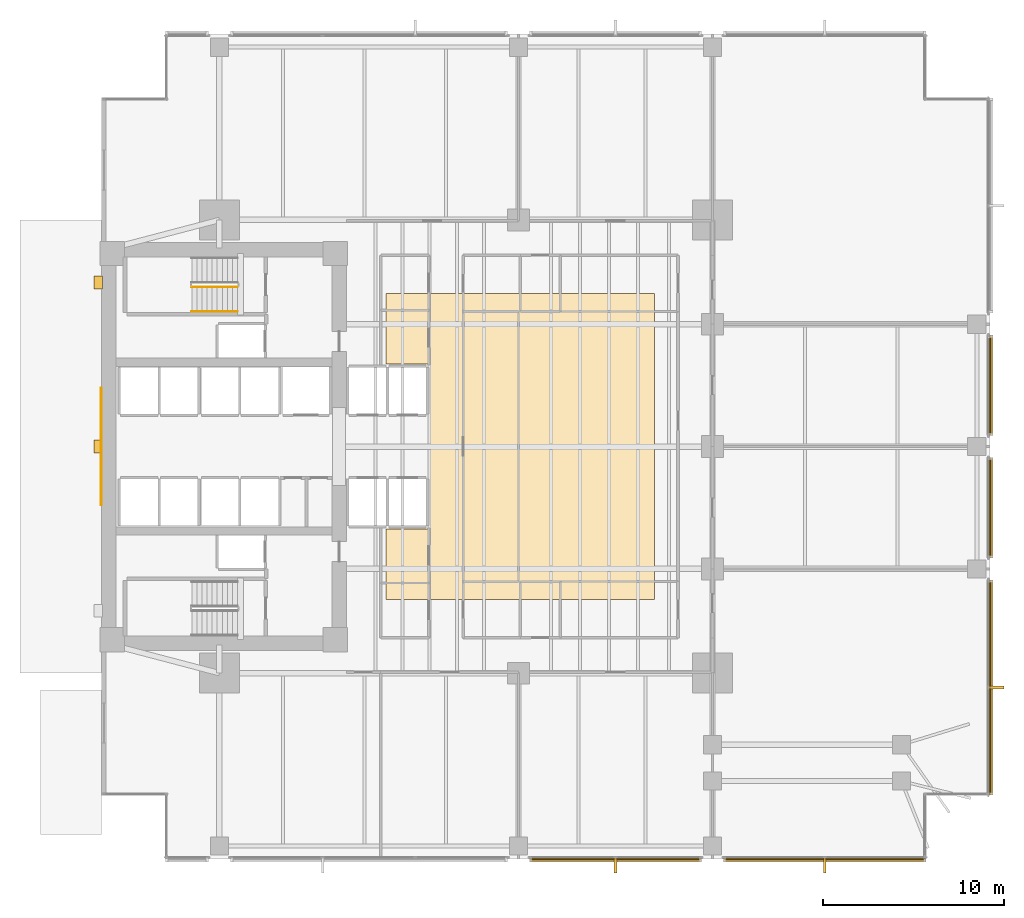
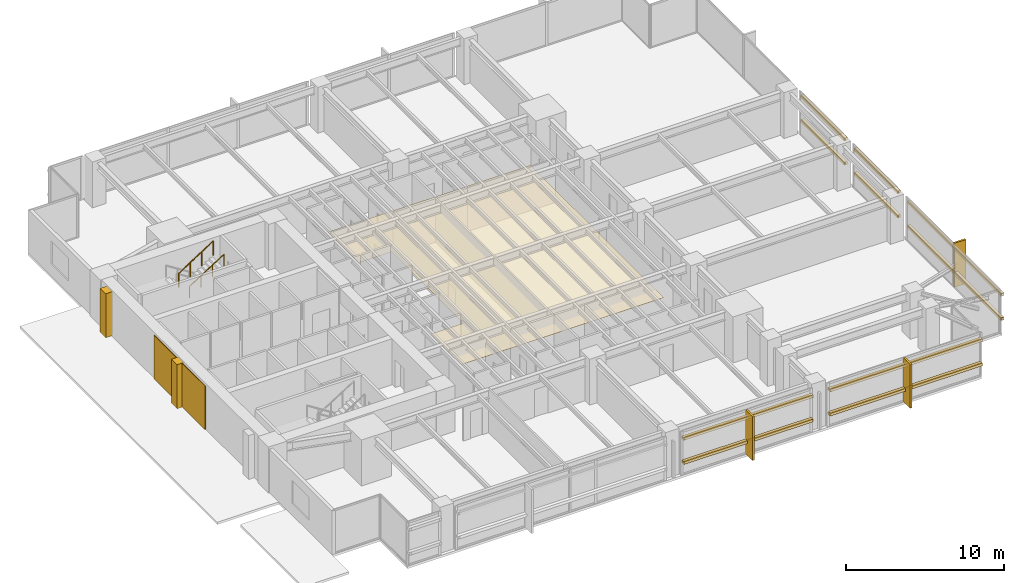
# One storey, part 14 of 16: 17 coverings, 10 shading devices, 2 railings.
"""IFC4 building model written with IfcOpenShell, lengths in metres."""

from ifc_helpers import new_model, si_unit, direction, frame, origin, origin_2d, place, context, subcontext, project, spatial, polyline, rectangle, circle, outline, extrude, material, layer, layer_set, material_profile, profile_set, type_object, element, save


model = new_model("IFC4")

# Units and contexts
model_context = context("Model", 3, precision=1e-05, world=origin(), true_north=direction((0.0, 1.0)))
body_context = subcontext(model_context, "Body", "Model", "MODEL_VIEW")
ifc_project = project(units=[si_unit("LENGTHUNIT", "METRE"), si_unit("AREAUNIT", "SQUARE_METRE"), si_unit("VOLUMEUNIT", "CUBIC_METRE"), si_unit("PLANEANGLEUNIT", "RADIAN"), si_unit("MASSUNIT", "GRAM", prefix="KILO")], contexts=[model_context])

# Site, building, storey
site_placement = place(None, origin())
site = spatial("IfcSite", under=ifc_project, at=site_placement, CompositionType="ELEMENT")
building_placement = place(site_placement, origin())
building = spatial("IfcBuilding", under=site, at=building_placement, Name="Kinhvarn Gate Tower", CompositionType="ELEMENT")
storey_placement = place(building_placement, frame((0.0, 0.0, 25.60009765625)))
storey = spatial("IfcBuildingStorey", under=building, at=storey_placement, Name="L05", CompositionType="ELEMENT", Elevation=25.60009765625)

# Coverings
ifc_material_1 = material(Name="Fired architectural terracotta", Category="masonry")
ifc_layer_1 = layer(ifc_material_1, 0.239990234375)
ifc_layer_set_1 = layer_set([ifc_layer_1], Name="Fired architectural terracotta")
covering_type_1 = type_object("IfcCoveringType", Name="COV-BAG-220", PredefinedType="CLADDING", material=ifc_layer_set_1)
for number, where, name in (
    (1, (0.0, 0.0, 0.93994140625), "Terracotta Horizontal Sunscreen Band TBG-220 (L05)"),
    (2, (0.0, 0.0, 2.809814453125), "Terracotta Horizontal Sunscreen Band TBG-220 (L05)"),
):
    element("IfcCovering", number, at=place(storey_placement, frame(where)), inside=storey, type_object=covering_type_1, Name=name, PredefinedType="CLADDING", context=body_context, shape_type="SweptSolid", body=[
        extrude(outline(polyline([(28.1201171875, 2.56005859375), (37.580078125, 2.56005859375), (37.580078125, 2.320068359375), (28.1201171875, 2.320068359375), (28.1201171875, 2.56005859375)])), origin(), (0.0, 0.0, 1.0), 0.219970703125),
    ])
for number, where, name in (
    (3, (0.0, 0.0, 0.93994140625), "Terracotta Horizontal Sunscreen Band TBG-220 (L05)"),
    (4, (0.0, 0.0, 2.809814453125), "Terracotta Horizontal Sunscreen Band TBG-220 (L05)"),
):
    element("IfcCovering", number, at=place(storey_placement, frame(where)), inside=storey, type_object=covering_type_1, Name=name, PredefinedType="CLADDING", context=body_context, shape_type="SweptSolid", body=[
        extrude(outline(polyline([(38.820068359375, 2.56005859375), (49.9599609375, 2.56005859375), (49.9599609375, 2.320068359375), (38.820068359375, 2.320068359375), (38.820068359375, 2.56005859375)])), origin(), (0.0, 0.0, 1.0), 0.219970703125),
    ])
for number, where, name in (
    (5, (0.0, 0.0, 0.93994140625), "Terracotta Horizontal Sunscreen Band TBG-220 (L05)"),
    (6, (0.0, 0.0, 2.809814453125), "Terracotta Horizontal Sunscreen Band TBG-220 (L05)"),
):
    element("IfcCovering", number, at=place(storey_placement, frame(where)), inside=storey, type_object=covering_type_1, Name=name, PredefinedType="CLADDING", context=body_context, shape_type="SweptSolid", body=[
        extrude(outline(polyline([(53.43994140625, 6.0400390625), (53.43994140625, 17.8798828125), (53.679931640625, 17.8798828125), (53.679931640625, 6.0400390625), (53.43994140625, 6.0400390625)])), origin(), (0.0, 0.0, 1.0), 0.219970703125),
    ])
for number, where, name in (
    (7, (0.0, 0.0, 0.93994140625), "Terracotta Horizontal Sunscreen Band TBG-220 (L05)"),
    (8, (0.0, 0.0, 2.809814453125), "Terracotta Horizontal Sunscreen Band TBG-220 (L05)"),
):
    element("IfcCovering", number, at=place(storey_placement, frame(where)), inside=storey, type_object=covering_type_1, Name=name, PredefinedType="CLADDING", context=body_context, shape_type="SweptSolid", body=[
        extrude(outline(polyline([(53.43994140625, 19.1201171875), (53.43994140625, 24.6298828125), (53.679931640625, 24.6298828125), (53.679931640625, 19.1201171875), (53.43994140625, 19.1201171875)])), origin(), (0.0, 0.0, 1.0), 0.219970703125),
    ])
for number, where, name in (
    (9, (0.0, 0.0, 0.93994140625), "Terracotta Horizontal Sunscreen Band TBG-220 (L05)"),
    (10, (0.0, 0.0, 2.809814453125), "Terracotta Horizontal Sunscreen Band TBG-220 (L05)"),
):
    element("IfcCovering", number, at=place(storey_placement, frame(where)), inside=storey, type_object=covering_type_1, Name=name, PredefinedType="CLADDING", context=body_context, shape_type="SweptSolid", body=[
        extrude(outline(polyline([(53.43994140625, 25.8701171875), (53.43994140625, 31.3798828125), (53.679931640625, 31.3798828125), (53.679931640625, 25.8701171875), (53.43994140625, 25.8701171875)])), origin(), (0.0, 0.0, 1.0), 0.219970703125),
    ])
ifc_material_2 = material(Name="Mineral-fibre acoustic ceiling tile")
ifc_layer_2 = layer(ifc_material_2, 0.02001953125)
ifc_layer_set_2 = layer_set([ifc_layer_2], Name="Mineral-fibre acoustic ceiling tile")
covering_type_2 = type_object("IfcCoveringType", Name="COV-CEIL-20", PredefinedType="CEILING", material=ifc_layer_set_2)
covering_1_placement = place(storey_placement, frame((0.0, 0.0, 2.64990234375)))
element("IfcCovering", 11, at=covering_1_placement, inside=storey, type_object=covering_type_2, Name="Suspended Acoustic Ceiling Tile (L05-1)", PredefinedType="CEILING", context=body_context, shape_type="SweptSolid", body=[
    extrude(outline(polyline([(35.0, 33.699951171875), (35.0, 16.800048828125), (20.199951171875, 16.800048828125), (20.199951171875, 20.699951171875), (22.60009765625, 20.699951171875), (22.60009765625, 29.800048828125), (20.199951171875, 29.800048828125), (20.199951171875, 33.699951171875), (35.0, 33.699951171875)])), origin(), (0.0, 0.0, 1.0), 0.02001953125),
])
ifc_layer_3 = layer(ifc_material_1, 0.050048828125)
ifc_layer_set_3 = layer_set([ifc_layer_3], Name="Fired architectural terracotta")
covering_type_3 = type_object("IfcCoveringType", Name="COV-CLD-50", PredefinedType="CLADDING", material=ifc_layer_set_3)
covering_2_placement = place(storey_placement, origin())
element("IfcCovering", 12, at=covering_2_placement, inside=storey, type_object=covering_type_3, Name="West Core Terracotta Cladding Feature Panel (L05)", PredefinedType="CLADDING", context=body_context, shape_type="SweptSolid", body=[
    extrude(outline(polyline([(4.449951171875, 22.0), (4.5, 22.0), (4.5, 28.5), (4.449951171875, 28.5), (4.449951171875, 22.0)])), origin(), (0.0, 0.0, 1.0), 3.369873046875),
])
ifc_layer_4 = layer(ifc_material_1, 0.139892578125)
ifc_layer_set_4 = layer_set([ifc_layer_4], Name="Fired architectural terracotta")
covering_type_4 = type_object("IfcCoveringType", Name="COV-FIN-850", PredefinedType="CLADDING", material=ifc_layer_set_4)
covering_3_placement = place(storey_placement, frame((0.0, 0.0, -0.02001953125)))
element("IfcCovering", 13, at=covering_3_placement, inside=storey, type_object=covering_type_4, Name="Vertical Terracotta Expressive Fin TFN-850 (L05)", PredefinedType="CLADDING", context=body_context, shape_type="SweptSolid", body=[
    extrude(outline(polyline([(32.780029296875, 2.570068359375), (32.919921875, 2.570068359375), (32.919921875, 1.719970703125), (32.780029296875, 1.719970703125), (32.780029296875, 2.570068359375)])), origin(), (0.0, 0.0, 1.0), 3.409912109375),
])
covering_4_placement = place(storey_placement, frame((0.0, 0.0, -0.02001953125)))
element("IfcCovering", 14, at=covering_4_placement, inside=storey, type_object=covering_type_4, Name="Vertical Terracotta Expressive Fin TFN-850 (L05)", PredefinedType="CLADDING", context=body_context, shape_type="SweptSolid", body=[
    extrude(outline(polyline([(44.320068359375, 2.570068359375), (44.4599609375, 2.570068359375), (44.4599609375, 1.719970703125), (44.320068359375, 1.719970703125), (44.320068359375, 2.570068359375)])), origin(), (0.0, 0.0, 1.0), 3.409912109375),
])
covering_5_placement = place(storey_placement, frame((0.0, 0.0, -0.02001953125)))
element("IfcCovering", 15, at=covering_5_placement, inside=storey, type_object=covering_type_4, Name="Vertical Terracotta Expressive Fin TFN-850 (L05)", PredefinedType="CLADDING", context=body_context, shape_type="SweptSolid", body=[
    extrude(outline(polyline([(53.429931640625, 11.889892578125), (53.429931640625, 12.030029296875), (54.280029296875, 12.030029296875), (54.280029296875, 11.889892578125), (53.429931640625, 11.889892578125)])), origin(), (0.0, 0.0, 1.0), 3.409912109375),
])
ifc_material_3 = material(Name="Precast white architectural concrete C40/50", Category="concrete")
ifc_layer_5 = layer(ifc_material_3, 0.47998046875)
ifc_layer_set_5 = layer_set([ifc_layer_5], Name="Precast white architectural concrete C40/50")
covering_type_5 = type_object("IfcCoveringType", Name="COV-RIB-450", PredefinedType="CLADDING", material=ifc_layer_set_5)
covering_6_placement = place(storey_placement, frame((0.0, 0.0, -0.02001953125)))
element("IfcCovering", 16, at=covering_6_placement, inside=storey, type_object=covering_type_5, Name="West Core Sculptural Concrete Relief Rib CRB-450 (L05)", PredefinedType="CLADDING", context=body_context, shape_type="SweptSolid", body=[
    extrude(outline(polyline([(4.080078125, 24.89990234375), (4.56005859375, 24.89990234375), (4.56005859375, 25.60009765625), (4.080078125, 25.60009765625), (4.080078125, 24.89990234375)])), origin(), (0.0, 0.0, 1.0), 3.409912109375),
])
covering_7_placement = place(storey_placement, frame((0.0, 0.0, -0.02001953125)))
element("IfcCovering", 17, at=covering_7_placement, inside=storey, type_object=covering_type_5, Name="West Core Sculptural Concrete Relief Rib CRB-450 (L05)", PredefinedType="CLADDING", context=body_context, shape_type="SweptSolid", body=[
    extrude(outline(polyline([(4.080078125, 33.949951171875), (4.56005859375, 33.949951171875), (4.56005859375, 34.64990234375), (4.080078125, 34.64990234375), (4.080078125, 33.949951171875)])), origin(), (0.0, 0.0, 1.0), 3.409912109375),
])

# Railings
ifc_material_4 = material(Name="Steel S355", Category="steel")
railing_type_1 = type_object("IfcRailingType", Name="RL-ST-GRD", PredefinedType="BALUSTRADE", material=ifc_material_4)
railing_1_placement = place(storey_placement, frame((9.47998046875, 34.050048828125, 1.952392578125)))
element("IfcRailing", 18, at=railing_1_placement, inside=storey, type_object=railing_type_1, Name="L05 ST2 stair guard 3", PredefinedType="BALUSTRADE", context=body_context, shape_type="SweptSolid", body=[
    extrude(circle(Radius=0.02392578125, at=origin_2d()), frame((0.0, 0.0, 1.076171875), z_axis=(0.84460694969, 0.0, 0.535386869969), x_axis=(0.0, 1.0, 0.0)), (0.0, 0.0, 1.0), 2.983642578125),
    extrude(circle(Radius=0.02099609375, at=origin_2d()), origin(), (0.0, 0.0, 1.0), 1.052001953125),
    extrude(circle(Radius=0.02099609375, at=origin_2d()), frame((0.840087890625, 0.0, 0.532470703125)), (0.0, 0.0, 1.0), 1.052001953125),
    extrude(circle(Radius=0.02099609375, at=origin_2d()), frame((1.679931640625, 0.0, 1.06494140625)), (0.0, 0.0, 1.0), 1.052001953125),
    extrude(circle(Radius=0.02099609375, at=origin_2d()), frame((2.52001953125, 0.0, 1.597412109375)), (0.0, 0.0, 1.0), 1.052001953125),
])
railing_type_2 = type_object("IfcRailingType", Name="RL-ST-HND", PredefinedType="HANDRAIL", material=ifc_material_4)
railing_2_placement = place(storey_placement, frame((9.47998046875, 32.699951171875, 1.952392578125)))
element("IfcRailing", 19, at=railing_2_placement, inside=storey, type_object=railing_type_2, Name="L05 ST2 stair handrail 2", PredefinedType="HANDRAIL", context=body_context, shape_type="SweptSolid", body=[
    extrude(circle(Radius=0.02392578125, at=origin_2d()), frame((0.0, 0.0, 0.8759765625), z_axis=(0.84460694969, 0.0, 0.535386869969), x_axis=(0.0, 1.0, 0.0)), (0.0, 0.0, 1.0), 2.983642578125),
    extrude(circle(Radius=0.02099609375, at=origin_2d()), origin(), (0.0, 0.0, 1.0), 0.851806640625),
    extrude(circle(Radius=0.02099609375, at=origin_2d()), frame((0.840087890625, 0.0, 0.532470703125)), (0.0, 0.0, 1.0), 0.851806640625),
    extrude(circle(Radius=0.02099609375, at=origin_2d()), frame((1.679931640625, 0.0, 1.06494140625)), (0.0, 0.0, 1.0), 0.851806640625),
    extrude(circle(Radius=0.02099609375, at=origin_2d()), frame((2.52001953125, 0.0, 1.597412109375)), (0.0, 0.0, 1.0), 0.851806640625),
])

# Shading devices
ifc_material_profile = material_profile(ifc_material_1, rectangle(XDim=0.06005859375, YDim=0.139892578125, at=origin_2d()), Name="TC 60x140")
ifc_profile_set = profile_set([ifc_material_profile], Name="Fired architectural terracotta")
shading_device_type = type_object("IfcShadingDeviceType", Name="SHD-BAG-180", PredefinedType="USERDEFINED", material=ifc_profile_set)
for number, where, z_axis, x_axis, name in (
    (20, (28.1201171875, 2.485107421875, 1.0498046875), (1.0, 0.0, 0.0), (0.0, 1.0, 0.0), "Fired Terracotta Baguette Screen Rod 60x140 mm (L05)"),
    (21, (28.1201171875, 2.485107421875, 2.919921875), (1.0, 0.0, 0.0), (0.0, 1.0, 0.0), "Fired Terracotta Baguette Screen Rod 60x140 mm (L05)"),
):
    element("IfcShadingDevice", number, at=place(storey_placement, frame(where, z_axis=z_axis, x_axis=x_axis)), inside=storey, type_object=shading_device_type, Name=name, ObjectType="BAGUETTE", PredefinedType="USERDEFINED", context=body_context, shape_type="SweptSolid", body=[
        extrude(rectangle(XDim=0.06005859375, YDim=0.139892578125, at=origin_2d()), origin(), (0.0, 0.0, 1.0), 9.4599609375),
    ])
for number, where, z_axis, x_axis, name in (
    (22, (38.820068359375, 2.485107421875, 1.0498046875), (1.0, 0.0, 0.0), (0.0, 1.0, 0.0), "Fired Terracotta Baguette Screen Rod 60x140 mm (L05)"),
    (23, (38.820068359375, 2.485107421875, 2.919921875), (1.0, 0.0, 0.0), (0.0, 1.0, 0.0), "Fired Terracotta Baguette Screen Rod 60x140 mm (L05)"),
):
    element("IfcShadingDevice", number, at=place(storey_placement, frame(where, z_axis=z_axis, x_axis=x_axis)), inside=storey, type_object=shading_device_type, Name=name, ObjectType="BAGUETTE", PredefinedType="USERDEFINED", context=body_context, shape_type="SweptSolid", body=[
        extrude(rectangle(XDim=0.06005859375, YDim=0.139892578125, at=origin_2d()), origin(), (0.0, 0.0, 1.0), 11.139892578125),
    ])
for number, where, z_axis, x_axis, name in (
    (24, (53.514892578125, 6.0400390625, 1.0498046875), (0.0, 1.0, 0.0), (-1.0, 0.0, 0.0), "Fired Terracotta Baguette Screen Rod 60x140 mm (L05)"),
    (25, (53.514892578125, 6.0400390625, 2.919921875), (0.0, 1.0, 0.0), (-1.0, 0.0, 0.0), "Fired Terracotta Baguette Screen Rod 60x140 mm (L05)"),
):
    element("IfcShadingDevice", number, at=place(storey_placement, frame(where, z_axis=z_axis, x_axis=x_axis)), inside=storey, type_object=shading_device_type, Name=name, ObjectType="BAGUETTE", PredefinedType="USERDEFINED", context=body_context, shape_type="SweptSolid", body=[
        extrude(rectangle(XDim=0.06005859375, YDim=0.139892578125, at=origin_2d()), origin(), (0.0, 0.0, 1.0), 11.83984375),
    ])
for number, where, z_axis, x_axis, name in (
    (26, (53.514892578125, 19.1201171875, 1.0498046875), (0.0, 1.0, 0.0), (-1.0, 0.0, 0.0), "Fired Terracotta Baguette Screen Rod 60x140 mm (L05)"),
    (27, (53.514892578125, 19.1201171875, 2.919921875), (0.0, 1.0, 0.0), (-1.0, 0.0, 0.0), "Fired Terracotta Baguette Screen Rod 60x140 mm (L05)"),
    (28, (53.514892578125, 25.8701171875, 1.0498046875), (0.0, 1.0, 0.0), (-1.0, 0.0, 0.0), "Fired Terracotta Baguette Screen Rod 60x140 mm (L05)"),
    (29, (53.514892578125, 25.8701171875, 2.919921875), (0.0, 1.0, 0.0), (-1.0, 0.0, 0.0), "Fired Terracotta Baguette Screen Rod 60x140 mm (L05)"),
):
    element("IfcShadingDevice", number, at=place(storey_placement, frame(where, z_axis=z_axis, x_axis=x_axis)), inside=storey, type_object=shading_device_type, Name=name, ObjectType="BAGUETTE", PredefinedType="USERDEFINED", context=body_context, shape_type="SweptSolid", body=[
        extrude(rectangle(XDim=0.06005859375, YDim=0.139892578125, at=origin_2d()), origin(), (0.0, 0.0, 1.0), 5.509765625),
    ])

save(model, "model.ifc")
